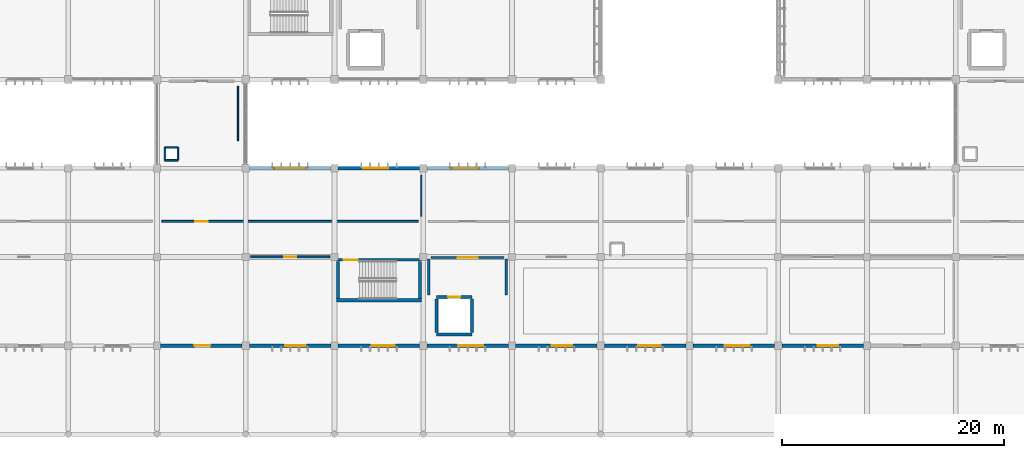
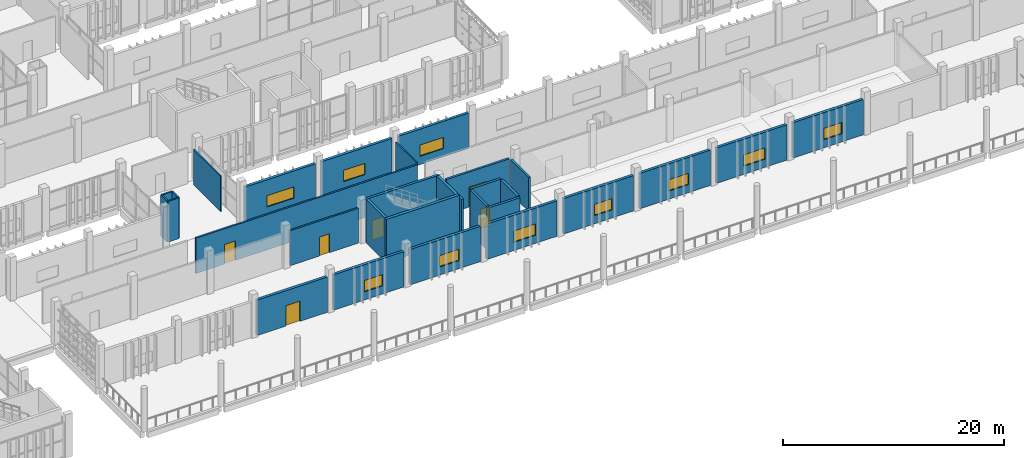
# One storey, part 80 of 106: 30 walls, 10 windows, 6 doors, 16 openings.
"""IFC4 building model written with IfcOpenShell, lengths in metres."""

from ifc_helpers import new_model, si_unit, direction, frame, frame_2d, origin, place, context, subcontext, project, spatial, rectangle, extrude, material, layer, layer_set, type_object, element, fill, save


model = new_model("IFC4")

# Units and contexts
model_context = context("Model", 3, precision=1e-05, world=origin(), true_north=direction((0.0, 1.0)))
body_context = subcontext(model_context, "Body", "Model", "MODEL_VIEW")
ifc_project = project(units=[si_unit("LENGTHUNIT", "METRE"), si_unit("AREAUNIT", "SQUARE_METRE"), si_unit("VOLUMEUNIT", "CUBIC_METRE"), si_unit("PLANEANGLEUNIT", "RADIAN"), si_unit("MASSUNIT", "GRAM", prefix="KILO")], contexts=[model_context])

# Site, building, storey
site_placement = place(None, origin())
site = spatial("IfcSite", under=ifc_project, at=site_placement, CompositionType="ELEMENT")
building_placement = place(site_placement, origin())
building = spatial("IfcBuilding", under=site, at=building_placement, Name="Jelvoka-Kovrelna Polytechnic", CompositionType="ELEMENT")
storey_placement = place(building_placement, frame((0.0, 0.0, 4.800048828125)))
storey = spatial("IfcBuildingStorey", under=building, at=storey_placement, Name="L02", CompositionType="ELEMENT", Elevation=4.800048828125)

# Wall, opening, door
ifc_material_1 = material(Name="Concrete C35/45", Category="concrete")
ifc_layer_1 = layer(ifc_material_1, 0.219970703125)
ifc_layer_set_1 = layer_set([ifc_layer_1], Name="Concrete C35/45")
wall_type_1 = type_object("IfcWallType", Name="Wall_Compartment_220", PredefinedType="PARTITIONING", material=ifc_layer_set_1)
wall_1_placement = place(storey_placement, frame((96.699951171875, 15.949951171875, 0.0), z_axis=(0.0, 0.0, 1.0), x_axis=(1.0, 0.0, 0.0)))
wall_1 = element("IfcWall", 1, at=wall_1_placement, inside=storey, type_object=wall_type_1, Name="L02 interior wall 0531", PredefinedType="PARTITIONING", context=body_context, shape_type="SweptSolid", body=[
    extrude(rectangle(XDim=6.60009765625, YDim=0.219970703125, at=frame_2d((3.300048828125, 0.0))), origin(), (0.0, 0.0, 1.0), 3.85986328125),
])
opening_1_placement = place(wall_1_placement, frame((2.39990234375, 0.0, 0.0)))
opening_1 = element("IfcOpeningElement", 2, at=opening_1_placement, cuts=wall_1, Name="Opening FD-L02-098", PredefinedType="OPENING", context=body_context, shape_type="SweptSolid", body=[
    extrude(rectangle(XDim=1.800048828125, YDim=2.199951171875, at=frame_2d((0.89990234375, 1.10009765625))), frame((0.0, 0.119873046875, 0.0), z_axis=(0.0, -1.0, 0.0), x_axis=(1.0, 0.0, 0.0)), (0.0, 0.0, 1.0), 0.239990234375),
])
ifc_material_2 = material(Name="Paired steel corridor fire door", Category="steel")
door_type_1 = type_object("IfcDoorType", Name="Door_Fire_FD03", OperationType="NOTDEFINED", PredefinedType="DOOR", material=ifc_material_2)
door_1_placement = place(opening_1_placement, origin())
door_1 = element("IfcDoor", 3, at=door_1_placement, inside=storey, type_object=door_type_1, Name="L02 interior door FD-L02-098", OperationType="DOUBLE_DOOR_SINGLE_SWING", OverallHeight=2.199951171875, OverallWidth=1.800048828125, PredefinedType="DOOR", context=body_context, shape_type="SweptSolid", body=[
    extrude(rectangle(XDim=1.800048828125, YDim=2.199951171875, at=frame_2d((0.89990234375, 1.10009765625))), frame((0.0, 0.02490234375, 0.0), z_axis=(0.0, -1.0, 0.0), x_axis=(1.0, 0.0, 0.0)), (0.0, 0.0, 1.0), 0.050048828125),
])
fill(opening_1, door_1)

# Walls
for number, where, z_axis, x_axis, name in (
    (4, (96.5, 12.550048828125, 0.0), (0.0, 0.0, 1.0), (0.0, 1.0, 0.0), "L02 interior wall 0532"),
    (5, (103.5, 12.550048828125, 0.0), (0.0, 0.0, 1.0), (0.0, 1.0, 0.0), "L02 interior wall 0533"),
):
    element("IfcWall", number, at=place(storey_placement, frame(where, z_axis=z_axis, x_axis=x_axis)), inside=storey, type_object=wall_type_1, Name=name, PredefinedType="PARTITIONING", context=body_context, shape_type="SweptSolid", body=[
        extrude(rectangle(XDim=3.25, YDim=0.219970703125, at=frame_2d((1.625, 0.0))), origin(), (0.0, 0.0, 1.0), 3.760009765625),
    ])

# Wall, opening, door
ifc_material_3 = material(Name="Concrete C40/50", Category="concrete")
ifc_layer_2 = layer(ifc_material_3, 0.25)
ifc_layer_set_2 = layer_set([ifc_layer_2], Name="Concrete C40/50")
wall_type_2 = type_object("IfcWallType", Name="Wall_Core_250", PredefinedType="SOLIDWALL", material=ifc_layer_set_2)
wall_2_placement = place(storey_placement, frame((88.199951171875, 15.739990234375, 0.0), z_axis=(0.0, 0.0, 1.0), x_axis=(1.0, 0.0, 0.0)))
wall_2 = element("IfcWall", 6, at=wall_2_placement, inside=storey, type_object=wall_type_2, Name="L02 interior wall 0071", PredefinedType="SOLIDWALL", context=body_context, shape_type="SweptSolid", body=[
    extrude(rectangle(XDim=7.650146484375, YDim=0.25, at=frame_2d((3.8251953125, 0.0))), origin(), (0.0, 0.0, 1.0), 4.800048828125),
])
opening_2_placement = place(wall_2_placement, frame((0.64990234375, 0.0, 0.0)))
opening_2 = element("IfcOpeningElement", 7, at=opening_2_placement, cuts=wall_2, Name="Opening SD-L02-018", PredefinedType="OPENING", context=body_context, shape_type="SweptSolid", body=[
    extrude(rectangle(XDim=1.25, YDim=2.14990234375, at=frame_2d((0.625, 1.074951171875))), frame((0.0, 0.135009765625, 0.0), z_axis=(0.0, -1.0, 0.0), x_axis=(1.0, 0.0, 0.0)), (0.0, 0.0, 1.0), 0.27001953125),
])
ifc_material_4 = material(Name="Powder-coated steel fire door", Category="steel")
door_type_2 = type_object("IfcDoorType", Name="Door_Fire_FD02", OperationType="NOTDEFINED", PredefinedType="DOOR", material=ifc_material_4)
door_2_placement = place(opening_2_placement, origin())
door_2 = element("IfcDoor", 8, at=door_2_placement, inside=storey, type_object=door_type_2, Name="L02 interior door SD-L02-018", OperationType="SINGLE_SWING_LEFT", OverallHeight=2.14990234375, OverallWidth=1.25, PredefinedType="DOOR", context=body_context, shape_type="SweptSolid", body=[
    extrude(rectangle(XDim=1.25, YDim=2.14990234375, at=frame_2d((0.625, 1.074951171875))), frame((0.0, 0.02490234375, 0.0), z_axis=(0.0, -1.0, 0.0), x_axis=(1.0, 0.0, 0.0)), (0.0, 0.0, 1.0), 0.050048828125),
])
fill(opening_2, door_2)

# Walls
wall_3_placement = place(storey_placement, frame((88.324951171875, 12.25, 0.0), z_axis=(0.0, 0.0, 1.0), x_axis=(0.0, 1.0, 0.0)))
element("IfcWall", 9, at=wall_3_placement, inside=storey, type_object=wall_type_2, Name="L02 interior wall 0072", PredefinedType="SOLIDWALL", context=body_context, shape_type="SweptSolid", body=[
    extrude(rectangle(XDim=3.360107421875, YDim=0.25, at=frame_2d((1.68017578125, 0.0))), origin(), (0.0, 0.0, 1.0), 4.800048828125),
])
wall_4_placement = place(storey_placement, frame((97.199951171875, 9.0, 0.0), z_axis=(0.0, 0.0, 1.0), x_axis=(1.0, 0.0, 0.0)))
element("IfcWall", 10, at=wall_4_placement, inside=storey, type_object=wall_type_2, Name="L02 interior wall 0527", PredefinedType="SOLIDWALL", context=body_context, shape_type="SweptSolid", body=[
    extrude(rectangle(XDim=3.199951171875, YDim=0.25, at=frame_2d((1.60009765625, 0.0))), origin(), (0.0, 0.0, 1.0), 4.800048828125),
])

# Wall, opening, door
wall_5_placement = place(storey_placement, frame((97.199951171875, 12.39990234375, 0.0), z_axis=(0.0, 0.0, 1.0), x_axis=(1.0, 0.0, 0.0)))
wall_5 = element("IfcWall", 11, at=wall_5_placement, inside=storey, type_object=wall_type_2, Name="L02 interior wall 0528", PredefinedType="SOLIDWALL", context=body_context, shape_type="SweptSolid", body=[
    extrude(rectangle(XDim=3.199951171875, YDim=0.25, at=frame_2d((1.60009765625, 0.0))), origin(), (0.0, 0.0, 1.0), 4.800048828125),
])
opening_3_placement = place(wall_5_placement, frame((1.050048828125, 0.0, 0.0)))
opening_3 = element("IfcOpeningElement", 12, at=opening_3_placement, cuts=wall_5, Name="Opening LD-L02-35", PredefinedType="OPENING", context=body_context, shape_type="SweptSolid", body=[
    extrude(rectangle(XDim=1.10009765625, YDim=2.14990234375, at=frame_2d((0.550048828125, 1.074951171875))), frame((0.0, 0.135009765625, 0.0), z_axis=(0.0, -1.0, 0.0), x_axis=(1.0, 0.0, 0.0)), (0.0, 0.0, 1.0), 0.27001953125),
])
ifc_material_5 = material(Name="Brushed stainless steel sliding landing door", Category="steel")
door_type_3 = type_object("IfcDoorType", Name="Door_Lift_LD01", OperationType="NOTDEFINED", PredefinedType="DOOR", material=ifc_material_5)
door_3_placement = place(opening_3_placement, origin())
door_3 = element("IfcDoor", 13, at=door_3_placement, inside=storey, type_object=door_type_3, Name="L02 lift landing sliding door LD-L02-35", OperationType="DOUBLE_DOOR_SLIDING", OverallHeight=2.14990234375, OverallWidth=1.10009765625, PredefinedType="DOOR", context=body_context, shape_type="SweptSolid", body=[
    extrude(rectangle(XDim=1.10009765625, YDim=2.14990234375, at=frame_2d((0.550048828125, 1.074951171875))), frame((0.0, 0.02490234375, 0.0), z_axis=(0.0, -1.0, 0.0), x_axis=(1.0, 0.0, 0.0)), (0.0, 0.0, 1.0), 0.050048828125),
])
fill(opening_3, door_3)

# Walls
for number, where, z_axis, x_axis, name in (
    (14, (97.199951171875, 9.199951171875, 0.0), (0.0, 0.0, 1.0), (0.0, 1.0, 0.0), "L02 interior wall 0529"),
    (15, (100.39990234375, 9.199951171875, 0.0), (0.0, 0.0, 1.0), (0.0, 1.0, 0.0), "L02 interior wall 0530"),
):
    element("IfcWall", number, at=place(storey_placement, frame(where, z_axis=z_axis, x_axis=x_axis)), inside=storey, type_object=wall_type_2, Name=name, PredefinedType="SOLIDWALL", context=body_context, shape_type="SweptSolid", body=[
        extrude(rectangle(XDim=3.0, YDim=0.25, at=frame_2d((1.5, 0.0))), origin(), (0.0, 0.0, 1.0), 4.800048828125),
    ])

# Wall, opening, door
ifc_material_6 = material(Name="Autoclaved aerated concrete blockwork", Category="masonry")
ifc_layer_3 = layer(ifc_material_6, 0.179931640625)
ifc_layer_set_3 = layer_set([ifc_layer_3], Name="Autoclaved aerated concrete blockwork")
wall_type_3 = type_object("IfcWallType", Name="Wall_Corridor_180", PredefinedType="PARTITIONING", material=ifc_layer_set_3)
wall_6_placement = place(storey_placement, frame((80.429931640625, 16.0, 0.0), z_axis=(0.0, 0.0, 1.0), x_axis=(1.0, 0.0, 0.0)))
wall_6 = element("IfcWall", 16, at=wall_6_placement, inside=storey, type_object=wall_type_3, Name="L02 interior wall 0947", PredefinedType="PARTITIONING", context=body_context, shape_type="SweptSolid", body=[
    extrude(rectangle(XDim=7.14013671875, YDim=0.179931640625, at=frame_2d((3.570068359375, 0.0))), origin(), (0.0, 0.0, 1.0), 3.85986328125),
])
opening_4_placement = place(wall_6_placement, frame((3.0400390625, 0.0, 0.0)))
opening_4 = element("IfcOpeningElement", 17, at=opening_4_placement, cuts=wall_6, Name="Opening D-L02-221", PredefinedType="OPENING", context=body_context, shape_type="SweptSolid", body=[
    extrude(rectangle(XDim=1.06005859375, YDim=2.10009765625, at=frame_2d((0.530029296875, 1.050048828125))), frame((0.0, 0.099853515625, 0.0), z_axis=(0.0, -1.0, 0.0), x_axis=(1.0, 0.0, 0.0)), (0.0, 0.0, 1.0), 0.199951171875),
])
ifc_material_7 = material(Name="Hardwood solid-core door", Category="wood")
door_type_4 = type_object("IfcDoorType", Name="Door_Int_D05", OperationType="NOTDEFINED", PredefinedType="DOOR", material=ifc_material_7)
door_4_placement = place(opening_4_placement, origin())
door_4 = element("IfcDoor", 18, at=door_4_placement, inside=storey, type_object=door_type_4, Name="L02 interior door D-L02-221", OperationType="SINGLE_SWING_RIGHT", OverallHeight=2.10009765625, OverallWidth=1.06005859375, PredefinedType="DOOR", context=body_context, shape_type="SweptSolid", body=[
    extrude(rectangle(XDim=1.06005859375, YDim=2.10009765625, at=frame_2d((0.530029296875, 1.050048828125))), frame((0.0, 0.02490234375, 0.0), z_axis=(0.0, -1.0, 0.0), x_axis=(1.0, 0.0, 0.0)), (0.0, 0.0, 1.0), 0.050048828125),
])
fill(opening_4, door_4)

wall_7_placement = place(storey_placement, frame((72.429931640625, 19.199951171875, 0.0), z_axis=(0.0, 0.0, 1.0), x_axis=(1.0, 0.0, 0.0)))
wall_7 = element("IfcWall", 19, at=wall_7_placement, inside=storey, type_object=wall_type_3, Name="L02 interior wall 0953", PredefinedType="PARTITIONING", context=body_context, shape_type="SweptSolid", body=[
    extrude(rectangle(XDim=23.14013671875, YDim=0.179931640625, at=frame_2d((11.570068359375, 0.0))), origin(), (0.0, 0.0, 1.0), 3.89990234375),
])
opening_5_placement = place(wall_7_placement, frame((3.0, 0.0, 0.0)))
opening_5 = element("IfcOpeningElement", 20, at=opening_5_placement, cuts=wall_7, Name="Opening D-L02-226", PredefinedType="OPENING", context=body_context, shape_type="SweptSolid", body=[
    extrude(rectangle(XDim=1.139892578125, YDim=2.14990234375, at=frame_2d((0.56982421875, 1.074951171875))), frame((0.0, 0.099853515625, 0.0), z_axis=(0.0, -1.0, 0.0), x_axis=(1.0, 0.0, 0.0)), (0.0, 0.0, 1.0), 0.199951171875),
])
ifc_material_8 = material(Name="Laboratory vision-panel door", Category="wood")
door_type_5 = type_object("IfcDoorType", Name="Door_Int_D11", OperationType="NOTDEFINED", PredefinedType="DOOR", material=ifc_material_8)
door_5_placement = place(opening_5_placement, origin())
door_5 = element("IfcDoor", 21, at=door_5_placement, inside=storey, type_object=door_type_5, Name="L02 interior door D-L02-226", OperationType="SINGLE_SWING_LEFT", OverallHeight=2.14990234375, OverallWidth=1.139892578125, PredefinedType="DOOR", context=body_context, shape_type="SweptSolid", body=[
    extrude(rectangle(XDim=1.139892578125, YDim=2.14990234375, at=frame_2d((0.56982421875, 1.074951171875))), frame((0.0, 0.02490234375, 0.0), z_axis=(0.0, -1.0, 0.0), x_axis=(1.0, 0.0, 0.0)), (0.0, 0.0, 1.0), 0.050048828125),
])
fill(opening_5, door_5)

ifc_material_9 = material(Name="Precast concrete C40/50", Category="concrete")
ifc_layer_4 = layer(ifc_material_9, 0.280029296875)
ifc_layer_set_4 = layer_set([ifc_layer_4], Name="Precast concrete C40/50")
wall_type_4 = type_object("IfcWallType", Name="Wall_Ext_White_280", PredefinedType="STANDARD", material=ifc_layer_set_4)
wall_8_placement = place(storey_placement, frame((79.677978515625, 8.0, 0.0), z_axis=(0.0, 0.0, 1.0), x_axis=(-1.0, 0.0, 0.0)))
wall_8 = element("IfcWall", 22, at=wall_8_placement, inside=storey, type_object=wall_type_4, Name="L02 exterior wall 0260", PredefinedType="STANDARD", context=body_context, shape_type="SweptSolid", body=[
    extrude(rectangle(XDim=7.35595703125, YDim=0.280029296875, at=frame_2d((3.677978515625, 0.0))), origin(), (0.0, 0.0, 1.0), 3.909912109375),
])
opening_6_placement = place(wall_8_placement, frame((2.85791015625, 0.0, 0.0)))
opening_6 = element("IfcOpeningElement", 23, at=opening_6_placement, cuts=wall_8, Name="Opening TD-L02-004", PredefinedType="OPENING", context=body_context, shape_type="SweptSolid", body=[
    extrude(rectangle(XDim=1.449951171875, YDim=2.25, at=frame_2d((0.72509765625, 1.125))), frame((0.0, 0.150146484375, 0.0), z_axis=(0.0, -1.0, 0.0), x_axis=(1.0, 0.0, 0.0)), (0.0, 0.0, 1.0), 0.300048828125),
])
ifc_material_10 = material(Name="Powder-coated aluminium and laminated safety glass", Category="aluminium")
door_type_6 = type_object("IfcDoorType", Name="Door_Ext_Terrace_1450x2250", OperationType="NOTDEFINED", PredefinedType="DOOR", material=ifc_material_10)
door_6_placement = place(opening_6_placement, origin())
door_6 = element("IfcDoor", 24, at=door_6_placement, inside=storey, type_object=door_type_6, Name="L02 exterior door TD-L02-004", OperationType="SINGLE_SWING_LEFT", OverallHeight=2.25, OverallWidth=1.449951171875, PredefinedType="DOOR", context=body_context, shape_type="SweptSolid", body=[
    extrude(rectangle(XDim=1.449951171875, YDim=2.25, at=frame_2d((0.72509765625, 1.125))), frame((0.0, 0.02490234375, 0.0), z_axis=(0.0, -1.0, 0.0), x_axis=(1.0, 0.0, 0.0)), (0.0, 0.0, 1.0), 0.050048828125),
])
fill(opening_6, door_6)

# Wall, opening, window
wall_9_placement = place(storey_placement, frame((87.677978515625, 8.0, 0.0), z_axis=(0.0, 0.0, 1.0), x_axis=(-1.0, 0.0, 0.0)))
wall_9 = element("IfcWall", 25, at=wall_9_placement, inside=storey, type_object=wall_type_4, Name="L02 exterior wall 0261", PredefinedType="STANDARD", context=body_context, shape_type="SweptSolid", body=[
    extrude(rectangle(XDim=7.35595703125, YDim=0.280029296875, at=frame_2d((3.677978515625, 0.0))), origin(), (0.0, 0.0, 1.0), 3.909912109375),
])
opening_7_placement = place(wall_9_placement, frame((2.258056640625, 0.0, 0.89990234375)))
opening_7 = element("IfcOpeningElement", 26, at=opening_7_placement, cuts=wall_9, Name="Opening W-L02-026", PredefinedType="OPENING", context=body_context, shape_type="SweptSolid", body=[
    extrude(rectangle(XDim=1.85009765625, YDim=1.25, at=frame_2d((0.925048828125, 0.625))), frame((0.0, 0.150146484375, 0.0), z_axis=(0.0, -1.0, 0.0), x_axis=(1.0, 0.0, 0.0)), (0.0, 0.0, 1.0), 0.300048828125),
])
ifc_material_11 = material(Name="Thermally broken anodised aluminium and low-e glazing", Category="aluminium")
window_type_1 = type_object("IfcWindowType", Name="Win_Casement_W05", PartitioningType="DOUBLE_PANEL_VERTICAL", PredefinedType="WINDOW", material=ifc_material_11)
window_1_placement = place(opening_7_placement, origin())
window_1 = element("IfcWindow", 27, at=window_1_placement, inside=storey, type_object=window_type_1, Name="L02 aluminium casement window W-L02-026", OverallHeight=1.25, OverallWidth=1.85009765625, PartitioningType="DOUBLE_PANEL_VERTICAL", PredefinedType="WINDOW", context=body_context, shape_type="SweptSolid", body=[
    extrude(rectangle(XDim=1.85009765625, YDim=1.25, at=frame_2d((0.925048828125, 0.625))), frame((0.0, 0.030029296875, 0.0), z_axis=(0.0, -1.0, 0.0), x_axis=(1.0, 0.0, 0.0)), (0.0, 0.0, 1.0), 0.06005859375),
])
fill(opening_7, window_1)

wall_10_placement = place(storey_placement, frame((80.322021484375, 24.0, 0.0), z_axis=(0.0, 0.0, 1.0), x_axis=(1.0, 0.0, 0.0)))
wall_10 = element("IfcWall", 28, at=wall_10_placement, inside=storey, type_object=wall_type_4, Name="L02 exterior wall 0262", PredefinedType="STANDARD", context=body_context, shape_type="SweptSolid", body=[
    extrude(rectangle(XDim=7.35595703125, YDim=0.280029296875, at=frame_2d((3.677978515625, 0.0))), origin(), (0.0, 0.0, 1.0), 3.909912109375),
])
opening_8_placement = place(wall_10_placement, frame((2.258056640625, 0.0, 0.89990234375)))
opening_8 = element("IfcOpeningElement", 29, at=opening_8_placement, cuts=wall_10, Name="Opening W-L02-027", PredefinedType="OPENING", context=body_context, shape_type="SweptSolid", body=[
    extrude(rectangle(XDim=2.85009765625, YDim=1.25, at=frame_2d((1.425048828125, 0.625))), frame((0.0, 0.150146484375, 0.0), z_axis=(0.0, -1.0, 0.0), x_axis=(1.0, 0.0, 0.0)), (0.0, 0.0, 1.0), 0.300048828125),
])
ifc_material_12 = material(Name="Thermally broken anodised aluminium and low-e glazing", Category="aluminium")
window_type_2 = type_object("IfcWindowType", Name="Win_Casement_W10", PartitioningType="DOUBLE_PANEL_VERTICAL", PredefinedType="WINDOW", material=ifc_material_12)
window_2_placement = place(opening_8_placement, origin())
window_2 = element("IfcWindow", 30, at=window_2_placement, inside=storey, type_object=window_type_2, Name="L02 aluminium casement window W-L02-027", OverallHeight=1.25, OverallWidth=2.85009765625, PartitioningType="DOUBLE_PANEL_VERTICAL", PredefinedType="WINDOW", context=body_context, shape_type="SweptSolid", body=[
    extrude(rectangle(XDim=2.85009765625, YDim=1.25, at=frame_2d((1.425048828125, 0.625))), frame((0.0, 0.030029296875, 0.0), z_axis=(0.0, -1.0, 0.0), x_axis=(1.0, 0.0, 0.0)), (0.0, 0.0, 1.0), 0.06005859375),
])
fill(opening_8, window_2)

wall_11_placement = place(storey_placement, frame((95.677978515625, 8.0, 0.0), z_axis=(0.0, 0.0, 1.0), x_axis=(-1.0, 0.0, 0.0)))
wall_11 = element("IfcWall", 31, at=wall_11_placement, inside=storey, type_object=wall_type_4, Name="L02 exterior wall 0263", PredefinedType="STANDARD", context=body_context, shape_type="SweptSolid", body=[
    extrude(rectangle(XDim=7.35595703125, YDim=0.280029296875, at=frame_2d((3.677978515625, 0.0))), origin(), (0.0, 0.0, 1.0), 3.909912109375),
])
opening_9_placement = place(wall_11_placement, frame((2.258056640625, 0.0, 0.89990234375)))
opening_9 = element("IfcOpeningElement", 32, at=opening_9_placement, cuts=wall_11, Name="Opening W-L02-028", PredefinedType="OPENING", context=body_context, shape_type="SweptSolid", body=[
    extrude(rectangle(XDim=2.050048828125, YDim=1.25, at=frame_2d((1.02490234375, 0.625))), frame((0.0, 0.150146484375, 0.0), z_axis=(0.0, -1.0, 0.0), x_axis=(1.0, 0.0, 0.0)), (0.0, 0.0, 1.0), 0.300048828125),
])
ifc_material_13 = material(Name="Thermally broken anodised aluminium and low-e glazing", Category="aluminium")
window_type_3 = type_object("IfcWindowType", Name="Win_Casement_W06", PartitioningType="DOUBLE_PANEL_VERTICAL", PredefinedType="WINDOW", material=ifc_material_13)
window_3_placement = place(opening_9_placement, origin())
window_3 = element("IfcWindow", 33, at=window_3_placement, inside=storey, type_object=window_type_3, Name="L02 aluminium casement window W-L02-028", OverallHeight=1.25, OverallWidth=2.050048828125, PartitioningType="DOUBLE_PANEL_VERTICAL", PredefinedType="WINDOW", context=body_context, shape_type="SweptSolid", body=[
    extrude(rectangle(XDim=2.050048828125, YDim=1.25, at=frame_2d((1.02490234375, 0.625))), frame((0.0, 0.030029296875, 0.0), z_axis=(0.0, -1.0, 0.0), x_axis=(1.0, 0.0, 0.0)), (0.0, 0.0, 1.0), 0.06005859375),
])
fill(opening_9, window_3)

wall_12_placement = place(storey_placement, frame((88.322021484375, 24.0, 0.0), z_axis=(0.0, 0.0, 1.0), x_axis=(1.0, 0.0, 0.0)))
wall_12 = element("IfcWall", 34, at=wall_12_placement, inside=storey, type_object=wall_type_4, Name="L02 exterior wall 0264", PredefinedType="STANDARD", context=body_context, shape_type="SweptSolid", body=[
    extrude(rectangle(XDim=7.35595703125, YDim=0.280029296875, at=frame_2d((3.677978515625, 0.0))), origin(), (0.0, 0.0, 1.0), 3.909912109375),
])
opening_10_placement = place(wall_12_placement, frame((2.258056640625, 0.0, 0.89990234375)))
opening_10 = element("IfcOpeningElement", 35, at=opening_10_placement, cuts=wall_12, Name="Opening W-L02-029", PredefinedType="OPENING", context=body_context, shape_type="SweptSolid", body=[
    extrude(rectangle(XDim=2.25, YDim=1.25, at=frame_2d((1.125, 0.625))), frame((0.0, 0.150146484375, 0.0), z_axis=(0.0, -1.0, 0.0), x_axis=(1.0, 0.0, 0.0)), (0.0, 0.0, 1.0), 0.300048828125),
])
ifc_material_14 = material(Name="Thermally broken anodised aluminium and low-e glazing", Category="aluminium")
window_type_4 = type_object("IfcWindowType", Name="Win_Casement_W07", PartitioningType="DOUBLE_PANEL_VERTICAL", PredefinedType="WINDOW", material=ifc_material_14)
window_4_placement = place(opening_10_placement, origin())
window_4 = element("IfcWindow", 36, at=window_4_placement, inside=storey, type_object=window_type_4, Name="L02 aluminium casement window W-L02-029", OverallHeight=1.25, OverallWidth=2.25, PartitioningType="DOUBLE_PANEL_VERTICAL", PredefinedType="WINDOW", context=body_context, shape_type="SweptSolid", body=[
    extrude(rectangle(XDim=2.25, YDim=1.25, at=frame_2d((1.125, 0.625))), frame((0.0, 0.030029296875, 0.0), z_axis=(0.0, -1.0, 0.0), x_axis=(1.0, 0.0, 0.0)), (0.0, 0.0, 1.0), 0.06005859375),
])
fill(opening_10, window_4)

wall_13_placement = place(storey_placement, frame((103.677978515625, 8.0, 0.0), z_axis=(0.0, 0.0, 1.0), x_axis=(-1.0, 0.0, 0.0)))
wall_13 = element("IfcWall", 37, at=wall_13_placement, inside=storey, type_object=wall_type_4, Name="L02 exterior wall 0265", PredefinedType="STANDARD", context=body_context, shape_type="SweptSolid", body=[
    extrude(rectangle(XDim=7.35595703125, YDim=0.280029296875, at=frame_2d((3.677978515625, 0.0))), origin(), (0.0, 0.0, 1.0), 3.909912109375),
])
opening_11_placement = place(wall_13_placement, frame((2.258056640625, 0.0, 0.89990234375)))
opening_11 = element("IfcOpeningElement", 38, at=opening_11_placement, cuts=wall_13, Name="Opening W-L02-030", PredefinedType="OPENING", context=body_context, shape_type="SweptSolid", body=[
    extrude(rectangle(XDim=2.25, YDim=1.25, at=frame_2d((1.125, 0.625))), frame((0.0, 0.150146484375, 0.0), z_axis=(0.0, -1.0, 0.0), x_axis=(1.0, 0.0, 0.0)), (0.0, 0.0, 1.0), 0.300048828125),
])
window_5_placement = place(opening_11_placement, origin())
window_5 = element("IfcWindow", 39, at=window_5_placement, inside=storey, type_object=window_type_4, Name="L02 aluminium casement window W-L02-030", OverallHeight=1.25, OverallWidth=2.25, PartitioningType="DOUBLE_PANEL_VERTICAL", PredefinedType="WINDOW", context=body_context, shape_type="SweptSolid", body=[
    extrude(rectangle(XDim=2.25, YDim=1.25, at=frame_2d((1.125, 0.625))), frame((0.0, 0.030029296875, 0.0), z_axis=(0.0, -1.0, 0.0), x_axis=(1.0, 0.0, 0.0)), (0.0, 0.0, 1.0), 0.06005859375),
])
fill(opening_11, window_5)

wall_14_placement = place(storey_placement, frame((96.322021484375, 24.0, 0.0), z_axis=(0.0, 0.0, 1.0), x_axis=(1.0, 0.0, 0.0)))
wall_14 = element("IfcWall", 40, at=wall_14_placement, inside=storey, type_object=wall_type_4, Name="L02 exterior wall 0266", PredefinedType="STANDARD", context=body_context, shape_type="SweptSolid", body=[
    extrude(rectangle(XDim=7.35595703125, YDim=0.280029296875, at=frame_2d((3.677978515625, 0.0))), origin(), (0.0, 0.0, 1.0), 3.909912109375),
])
opening_12_placement = place(wall_14_placement, frame((2.258056640625, 0.0, 0.89990234375)))
opening_12 = element("IfcOpeningElement", 41, at=opening_12_placement, cuts=wall_14, Name="Opening W-L02-031", PredefinedType="OPENING", context=body_context, shape_type="SweptSolid", body=[
    extrude(rectangle(XDim=2.449951171875, YDim=1.25, at=frame_2d((1.22509765625, 0.625))), frame((0.0, 0.150146484375, 0.0), z_axis=(0.0, -1.0, 0.0), x_axis=(1.0, 0.0, 0.0)), (0.0, 0.0, 1.0), 0.300048828125),
])
ifc_material_15 = material(Name="Thermally broken anodised aluminium and low-e glazing", Category="aluminium")
window_type_5 = type_object("IfcWindowType", Name="Win_Casement_W08", PartitioningType="DOUBLE_PANEL_VERTICAL", PredefinedType="WINDOW", material=ifc_material_15)
window_6_placement = place(opening_12_placement, origin())
window_6 = element("IfcWindow", 42, at=window_6_placement, inside=storey, type_object=window_type_5, Name="L02 aluminium casement window W-L02-031", OverallHeight=1.25, OverallWidth=2.449951171875, PartitioningType="DOUBLE_PANEL_VERTICAL", PredefinedType="WINDOW", context=body_context, shape_type="SweptSolid", body=[
    extrude(rectangle(XDim=2.449951171875, YDim=1.25, at=frame_2d((1.22509765625, 0.625))), frame((0.0, 0.030029296875, 0.0), z_axis=(0.0, -1.0, 0.0), x_axis=(1.0, 0.0, 0.0)), (0.0, 0.0, 1.0), 0.06005859375),
])
fill(opening_12, window_6)

wall_15_placement = place(storey_placement, frame((111.677978515625, 8.0, 0.0), z_axis=(0.0, 0.0, 1.0), x_axis=(-1.0, 0.0, 0.0)))
wall_15 = element("IfcWall", 43, at=wall_15_placement, inside=storey, type_object=wall_type_4, Name="L02 exterior wall 0267", PredefinedType="STANDARD", context=body_context, shape_type="SweptSolid", body=[
    extrude(rectangle(XDim=7.35595703125, YDim=0.280029296875, at=frame_2d((3.677978515625, 0.0))), origin(), (0.0, 0.0, 1.0), 3.909912109375),
])
opening_13_placement = place(wall_15_placement, frame((2.258056640625, 0.0, 0.89990234375)))
opening_13 = element("IfcOpeningElement", 44, at=opening_13_placement, cuts=wall_15, Name="Opening W-L02-032", PredefinedType="OPENING", context=body_context, shape_type="SweptSolid", body=[
    extrude(rectangle(XDim=1.85009765625, YDim=1.25, at=frame_2d((0.925048828125, 0.625))), frame((0.0, 0.150146484375, 0.0), z_axis=(0.0, -1.0, 0.0), x_axis=(1.0, 0.0, 0.0)), (0.0, 0.0, 1.0), 0.300048828125),
])
window_7_placement = place(opening_13_placement, origin())
window_7 = element("IfcWindow", 45, at=window_7_placement, inside=storey, type_object=window_type_1, Name="L02 aluminium casement window W-L02-032", OverallHeight=1.25, OverallWidth=1.85009765625, PartitioningType="DOUBLE_PANEL_VERTICAL", PredefinedType="WINDOW", context=body_context, shape_type="SweptSolid", body=[
    extrude(rectangle(XDim=1.85009765625, YDim=1.25, at=frame_2d((0.925048828125, 0.625))), frame((0.0, 0.030029296875, 0.0), z_axis=(0.0, -1.0, 0.0), x_axis=(1.0, 0.0, 0.0)), (0.0, 0.0, 1.0), 0.06005859375),
])
fill(opening_13, window_7)

wall_16_placement = place(storey_placement, frame((119.677978515625, 8.0, 0.0), z_axis=(0.0, 0.0, 1.0), x_axis=(-1.0, 0.0, 0.0)))
wall_16 = element("IfcWall", 46, at=wall_16_placement, inside=storey, type_object=wall_type_4, Name="L02 exterior wall 0269", PredefinedType="STANDARD", context=body_context, shape_type="SweptSolid", body=[
    extrude(rectangle(XDim=7.35595703125, YDim=0.280029296875, at=frame_2d((3.677978515625, 0.0))), origin(), (0.0, 0.0, 1.0), 3.909912109375),
])
opening_14_placement = place(wall_16_placement, frame((2.258056640625, 0.0, 0.89990234375)))
opening_14 = element("IfcOpeningElement", 47, at=opening_14_placement, cuts=wall_16, Name="Opening W-L02-034", PredefinedType="OPENING", context=body_context, shape_type="SweptSolid", body=[
    extrude(rectangle(XDim=2.050048828125, YDim=1.25, at=frame_2d((1.02490234375, 0.625))), frame((0.0, 0.150146484375, 0.0), z_axis=(0.0, -1.0, 0.0), x_axis=(1.0, 0.0, 0.0)), (0.0, 0.0, 1.0), 0.300048828125),
])
window_8_placement = place(opening_14_placement, origin())
window_8 = element("IfcWindow", 48, at=window_8_placement, inside=storey, type_object=window_type_3, Name="L02 aluminium casement window W-L02-034", OverallHeight=1.25, OverallWidth=2.050048828125, PartitioningType="DOUBLE_PANEL_VERTICAL", PredefinedType="WINDOW", context=body_context, shape_type="SweptSolid", body=[
    extrude(rectangle(XDim=2.050048828125, YDim=1.25, at=frame_2d((1.02490234375, 0.625))), frame((0.0, 0.030029296875, 0.0), z_axis=(0.0, -1.0, 0.0), x_axis=(1.0, 0.0, 0.0)), (0.0, 0.0, 1.0), 0.06005859375),
])
fill(opening_14, window_8)

wall_17_placement = place(storey_placement, frame((127.677978515625, 8.0, 0.0), z_axis=(0.0, 0.0, 1.0), x_axis=(-1.0, 0.0, 0.0)))
wall_17 = element("IfcWall", 49, at=wall_17_placement, inside=storey, type_object=wall_type_4, Name="L02 exterior wall 0271", PredefinedType="STANDARD", context=body_context, shape_type="SweptSolid", body=[
    extrude(rectangle(XDim=7.35595703125, YDim=0.280029296875, at=frame_2d((3.677978515625, 0.0))), origin(), (0.0, 0.0, 1.0), 3.909912109375),
])
opening_15_placement = place(wall_17_placement, frame((2.258056640625, 0.0, 0.89990234375)))
opening_15 = element("IfcOpeningElement", 50, at=opening_15_placement, cuts=wall_17, Name="Opening W-L02-036", PredefinedType="OPENING", context=body_context, shape_type="SweptSolid", body=[
    extrude(rectangle(XDim=2.25, YDim=1.25, at=frame_2d((1.125, 0.625))), frame((0.0, 0.150146484375, 0.0), z_axis=(0.0, -1.0, 0.0), x_axis=(1.0, 0.0, 0.0)), (0.0, 0.0, 1.0), 0.300048828125),
])
window_9_placement = place(opening_15_placement, origin())
window_9 = element("IfcWindow", 51, at=window_9_placement, inside=storey, type_object=window_type_4, Name="L02 aluminium casement window W-L02-036", OverallHeight=1.25, OverallWidth=2.25, PartitioningType="DOUBLE_PANEL_VERTICAL", PredefinedType="WINDOW", context=body_context, shape_type="SweptSolid", body=[
    extrude(rectangle(XDim=2.25, YDim=1.25, at=frame_2d((1.125, 0.625))), frame((0.0, 0.030029296875, 0.0), z_axis=(0.0, -1.0, 0.0), x_axis=(1.0, 0.0, 0.0)), (0.0, 0.0, 1.0), 0.06005859375),
])
fill(opening_15, window_9)

wall_18_placement = place(storey_placement, frame((135.677978515625, 8.0, 0.0), z_axis=(0.0, 0.0, 1.0), x_axis=(-1.0, 0.0, 0.0)))
wall_18 = element("IfcWall", 52, at=wall_18_placement, inside=storey, type_object=wall_type_4, Name="L02 exterior wall 0273", PredefinedType="STANDARD", context=body_context, shape_type="SweptSolid", body=[
    extrude(rectangle(XDim=7.35595703125, YDim=0.280029296875, at=frame_2d((3.677978515625, 0.0))), origin(), (0.0, 0.0, 1.0), 3.909912109375),
])
opening_16_placement = place(wall_18_placement, frame((2.258056640625, 0.0, 0.89990234375)))
opening_16 = element("IfcOpeningElement", 53, at=opening_16_placement, cuts=wall_18, Name="Opening W-L02-038", PredefinedType="OPENING", context=body_context, shape_type="SweptSolid", body=[
    extrude(rectangle(XDim=1.85009765625, YDim=1.25, at=frame_2d((0.925048828125, 0.625))), frame((0.0, 0.150146484375, 0.0), z_axis=(0.0, -1.0, 0.0), x_axis=(1.0, 0.0, 0.0)), (0.0, 0.0, 1.0), 0.300048828125),
])
window_10_placement = place(opening_16_placement, origin())
window_10 = element("IfcWindow", 54, at=window_10_placement, inside=storey, type_object=window_type_1, Name="L02 aluminium casement window W-L02-038", OverallHeight=1.25, OverallWidth=1.85009765625, PartitioningType="DOUBLE_PANEL_VERTICAL", PredefinedType="WINDOW", context=body_context, shape_type="SweptSolid", body=[
    extrude(rectangle(XDim=1.85009765625, YDim=1.25, at=frame_2d((0.925048828125, 0.625))), frame((0.0, 0.030029296875, 0.0), z_axis=(0.0, -1.0, 0.0), x_axis=(1.0, 0.0, 0.0)), (0.0, 0.0, 1.0), 0.06005859375),
])
fill(opening_16, window_10)

# Walls
ifc_material_16 = material(Name="Acoustic gypsum stud partition")
ifc_layer_5 = layer(ifc_material_16, 0.125)
ifc_layer_set_5 = layer_set([ifc_layer_5], Name="Acoustic gypsum stud partition")
wall_type_5 = type_object("IfcWallType", Name="Wall_Partition_125", PredefinedType="PARTITIONING", material=ifc_layer_set_5)
wall_19_placement = place(storey_placement, frame((95.820068359375, 19.669921875, 0.0), z_axis=(0.0, 0.0, 1.0), x_axis=(0.0, 1.0, 0.0)))
element("IfcWall", 55, at=wall_19_placement, inside=storey, type_object=wall_type_5, Name="L02 interior wall 0954", PredefinedType="PARTITIONING", context=body_context, shape_type="SweptSolid", body=[
    extrude(rectangle(XDim=3.7099609375, YDim=0.125, at=frame_2d((1.85498046875, 0.0))), origin(), (0.0, 0.0, 1.0), 3.760009765625),
])
wall_20_placement = place(storey_placement, frame((79.300048828125, 26.469970703125, 0.0), z_axis=(0.0, 0.0, 1.0), x_axis=(0.0, 1.0, 0.0)))
element("IfcWall", 56, at=wall_20_placement, inside=storey, type_object=wall_type_5, Name="L02 interior wall 0993", PredefinedType="PARTITIONING", context=body_context, shape_type="SweptSolid", body=[
    extrude(rectangle(XDim=4.909912109375, YDim=0.125, at=frame_2d((2.455078125, 0.0))), origin(), (0.0, 0.0, 1.0), 3.89990234375),
])
ifc_material_17 = material(Name="Autoclaved aerated concrete blockwork", Category="masonry")
ifc_layer_6 = layer(ifc_material_17, 0.14990234375)
ifc_layer_set_6 = layer_set([ifc_layer_6], Name="Autoclaved aerated concrete blockwork")
wall_type_6 = type_object("IfcWallType", Name="Wall_Partition_150", PredefinedType="PARTITIONING", material=ifc_layer_set_6)
for number, where, z_axis, x_axis, name in (
    (57, (72.719970703125, 24.719970703125, 0.0), (0.0, 0.0, 1.0), (1.0, 0.0, 0.0), "L02 interior wall 0698"),
    (58, (73.8798828125, 24.719970703125, 0.0), (0.0, 0.0, 1.0), (0.0, 1.0, 0.0), "L02 interior wall 0699"),
    (59, (73.8798828125, 25.8798828125, 0.0), (0.0, 0.0, 1.0), (-1.0, 0.0, 0.0), "L02 interior wall 0700"),
    (60, (72.719970703125, 25.8798828125, 0.0), (0.0, 0.0, 1.0), (0.0, -1.0, 0.0), "L02 interior wall 0701"),
):
    element("IfcWall", number, at=place(storey_placement, frame(where, z_axis=z_axis, x_axis=x_axis)), inside=storey, type_object=wall_type_6, Name=name, PredefinedType="PARTITIONING", context=body_context, shape_type="SweptSolid", body=[
        extrude(rectangle(XDim=1.159912109375, YDim=0.14990234375, at=frame_2d((0.580078125, 0.0))), origin(), (0.0, 0.0, 1.0), 4.5),
    ])
ifc_material_18 = material(Name="Concrete C40/50", Category="concrete")
ifc_layer_7 = layer(ifc_material_18, 0.300048828125)
ifc_layer_set_7 = layer_set([ifc_layer_7], Name="Concrete C40/50")
wall_type_7 = type_object("IfcWallType", Name="Wall_Shear_300", PredefinedType="SHEAR", material=ifc_layer_set_7)
wall_21_placement = place(storey_placement, frame((88.199951171875, 12.090087890625, 0.0), z_axis=(0.0, 0.0, 1.0), x_axis=(1.0, 0.0, 0.0)))
element("IfcWall", 61, at=wall_21_placement, inside=storey, type_object=wall_type_7, Name="L02 interior wall 0069", PredefinedType="SHEAR", context=body_context, shape_type="SweptSolid", body=[
    extrude(rectangle(XDim=7.650146484375, YDim=0.300048828125, at=frame_2d((3.8251953125, 0.0))), origin(), (0.0, 0.0, 1.0), 4.800048828125),
])
wall_22_placement = place(storey_placement, frame((95.7099609375, 12.25, 0.0), z_axis=(0.0, 0.0, 1.0), x_axis=(0.0, 1.0, 0.0)))
element("IfcWall", 62, at=wall_22_placement, inside=storey, type_object=wall_type_7, Name="L02 interior wall 0070", PredefinedType="SHEAR", context=body_context, shape_type="SweptSolid", body=[
    extrude(rectangle(XDim=3.360107421875, YDim=0.300048828125, at=frame_2d((1.68017578125, 0.0))), origin(), (0.0, 0.0, 1.0), 4.800048828125),
])

save(model, "model.ifc")
